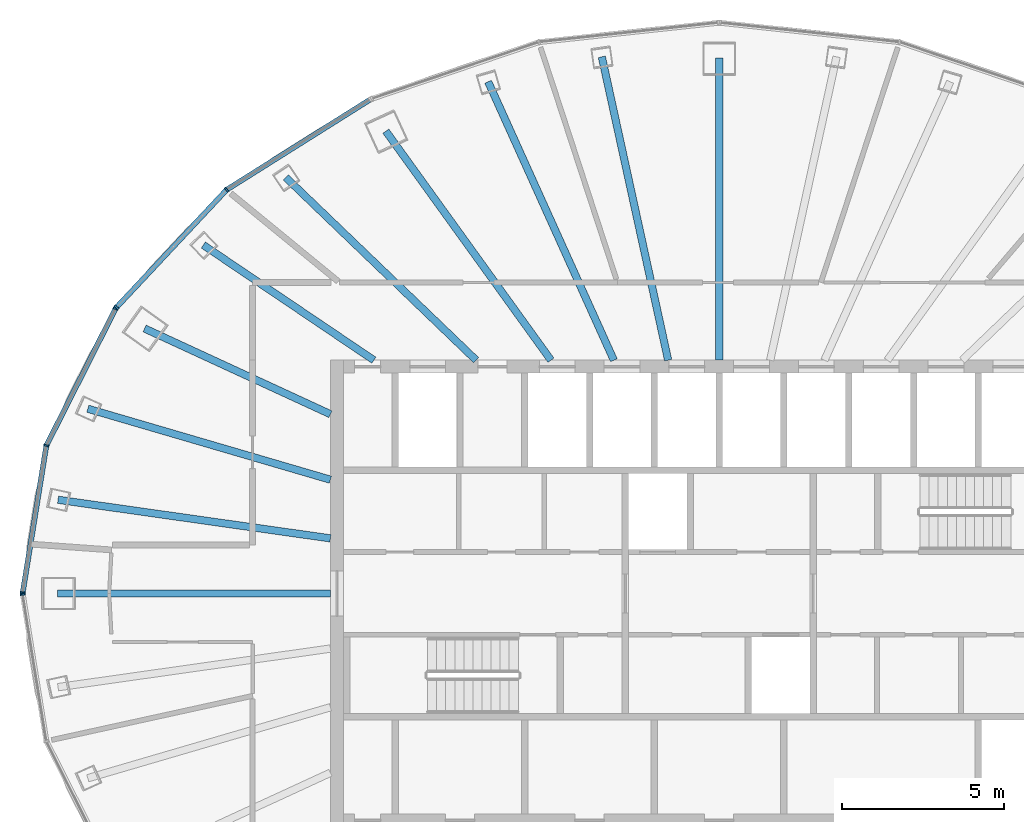
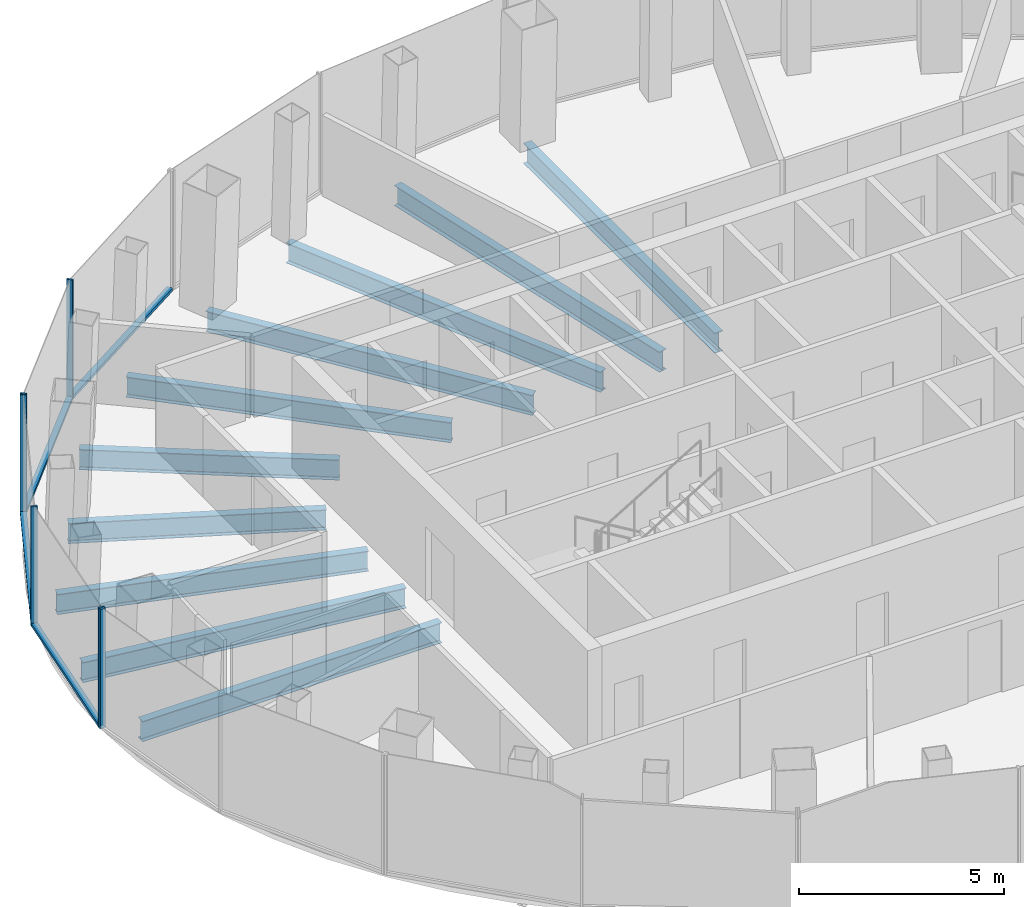
# One storey, part 4 of 12: 10 beams, 10 members, 3 elements without a shape of their own.
"""IFC4 building model written with IfcOpenShell, lengths in metres."""

from ifc_helpers import new_model, si_unit, direction, frame, origin, origin_2d, place, context, subcontext, project, spatial, rectangle, i_section, extrude, material, layer, layer_set, material_profile, profile_set, type_object, element, aggregate, save


model = new_model("IFC4")

# Units and contexts
model_context = context("Model", 3, precision=1e-05, world=origin(), true_north=direction((0.0, 1.0)))
body_context = subcontext(model_context, "Body", "Model", "MODEL_VIEW")
ifc_project = project(units=[si_unit("LENGTHUNIT", "METRE"), si_unit("AREAUNIT", "SQUARE_METRE"), si_unit("VOLUMEUNIT", "CUBIC_METRE"), si_unit("PLANEANGLEUNIT", "RADIAN"), si_unit("MASSUNIT", "GRAM", prefix="KILO")], contexts=[model_context])

# Site, building, storey
site_placement = place(None, origin())
site = spatial("IfcSite", under=ifc_project, at=site_placement, CompositionType="ELEMENT")
building_placement = place(site_placement, origin())
building = spatial("IfcBuilding", under=site, at=building_placement, Name="Siaravel Broadcast Tower", CompositionType="ELEMENT")
storey_placement = place(building_placement, frame((0.0, 0.0, 231.89990234375)))
storey = spatial("IfcBuildingStorey", under=building, at=storey_placement, Name="L56", CompositionType="ELEMENT", Elevation=231.89990234375)

# Beams
ifc_material_1 = material(Name="Steel S355", Category="steel")
ifc_material_profile_1 = material_profile(ifc_material_1, i_section(OverallWidth=0.2275390625, OverallDepth=0.6025390625, WebThickness=0.010498046875, FlangeThickness=0.014892578125, FilletRadius=0.0126953125, at=origin_2d()))
ifc_profile_set_1 = profile_set([ifc_material_profile_1], Name="Steel S355")
beam_type = type_object("IfcBeamType", Name="BM-UB 610x229x101", PredefinedType="BEAM", material=ifc_profile_set_1)
beam_1_placement = place(storey_placement, frame((0.0, 16.524169921875, -0.451171875), z_axis=(0.0, -1.0, 0.0), x_axis=(1.0, 0.0, 0.0)))
element("IfcBeam", 1, at=beam_1_placement, inside=storey, type_object=beam_type, Name="Radial beam RB10", PredefinedType="BEAM", context=body_context, shape_type="SweptSolid", body=[
    extrude(i_section(OverallWidth=0.2275390625, OverallDepth=0.6025390625, WebThickness=0.010498046875, FlangeThickness=0.014892578125, FilletRadius=0.0126953125, at=origin_2d()), origin(), (0.0, 0.0, 1.0), 9.32421875),
])
beam_2_placement = place(storey_placement, frame((-3.621826171875, 16.564453125, -0.451171875), z_axis=(0.213609528, -0.976919121, 0.0), x_axis=(0.976919121, 0.213609528, 0.0)))
element("IfcBeam", 2, at=beam_2_placement, inside=storey, type_object=beam_type, Name="Radial beam RB11", PredefinedType="BEAM", context=body_context, shape_type="SweptSolid", body=[
    extrude(i_section(OverallWidth=0.2275390625, OverallDepth=0.6025390625, WebThickness=0.010498046875, FlangeThickness=0.014892578125, FilletRadius=0.0126953125, at=origin_2d()), origin(), (0.0, 0.0, 1.0), 9.585693359375),
])
beam_3_placement = place(storey_placement, frame((-7.13037109375, 15.79443359375, -0.451171875), z_axis=(0.411454915, -0.911430114, 0.0), x_axis=(0.911430114, 0.411454915, 0.0)))
element("IfcBeam", 3, at=beam_3_placement, inside=storey, type_object=beam_type, Name="Radial beam RB12", PredefinedType="BEAM", context=body_context, shape_type="SweptSolid", body=[
    extrude(i_section(OverallWidth=0.2275390625, OverallDepth=0.6025390625, WebThickness=0.010498046875, FlangeThickness=0.014892578125, FilletRadius=0.0126953125, at=origin_2d()), origin(), (0.0, 0.0, 1.0), 9.4296875),
])
beam_4_placement = place(storey_placement, frame((-10.28759765625, 14.2685546875, -0.451171875), z_axis=(0.584818295, -0.811164324, 0.0), x_axis=(0.811164324, 0.584818295, 0.0)))
element("IfcBeam", 4, at=beam_4_placement, inside=storey, type_object=beam_type, Name="Radial beam RB13", PredefinedType="BEAM", context=body_context, shape_type="SweptSolid", body=[
    extrude(i_section(OverallWidth=0.2275390625, OverallDepth=0.6025390625, WebThickness=0.010498046875, FlangeThickness=0.014892578125, FilletRadius=0.0126953125, at=origin_2d()), origin(), (0.0, 0.0, 1.0), 8.714111328125),
])
beam_5_placement = place(storey_placement, frame((-13.377197265625, 12.841552734375, -0.451171875), z_axis=(0.721404089, -0.692514361, 0.0), x_axis=(0.692514361, 0.721404089, 0.0)))
element("IfcBeam", 5, at=beam_5_placement, inside=storey, type_object=beam_type, Name="Radial beam RB14", PredefinedType="BEAM", context=body_context, shape_type="SweptSolid", body=[
    extrude(i_section(OverallWidth=0.2275390625, OverallDepth=0.6025390625, WebThickness=0.010498046875, FlangeThickness=0.014892578125, FilletRadius=0.0126953125, at=origin_2d()), origin(), (0.0, 0.0, 1.0), 8.146484375),
])
beam_6_placement = place(storey_placement, frame((-15.92333984375, 10.756103515625, -0.451171875), z_axis=(0.828653044, -0.559762568, 0.0), x_axis=(0.559762568, 0.828653044, 0.0)))
element("IfcBeam", 6, at=beam_6_placement, inside=storey, type_object=beam_type, Name="Radial beam RB15", PredefinedType="BEAM", context=body_context, shape_type="SweptSolid", body=[
    extrude(i_section(OverallWidth=0.2275390625, OverallDepth=0.6025390625, WebThickness=0.010498046875, FlangeThickness=0.014892578125, FilletRadius=0.0126953125, at=origin_2d()), origin(), (0.0, 0.0, 1.0), 6.35302734375),
])
beam_7_placement = place(storey_placement, frame((-17.734375, 8.17822265625, -0.451171875), z_axis=(0.90810078, -0.418751684, 0.0), x_axis=(0.418751684, 0.90810078, 0.0)))
element("IfcBeam", 7, at=beam_7_placement, inside=storey, type_object=beam_type, Name="Radial beam RB16", PredefinedType="BEAM", context=body_context, shape_type="SweptSolid", body=[
    extrude(i_section(OverallWidth=0.2275390625, OverallDepth=0.6025390625, WebThickness=0.010498046875, FlangeThickness=0.014892578125, FilletRadius=0.0126953125, at=origin_2d()), origin(), (0.0, 0.0, 1.0), 6.314697265625),
])
beam_8_placement = place(storey_placement, frame((-19.4873046875, 5.702880859375, -0.451171875), z_axis=(0.959745843, -0.280869928, 0.0), x_axis=(0.280869928, 0.959745843, 0.0)))
element("IfcBeam", 8, at=beam_8_placement, inside=storey, type_object=beam_type, Name="Radial beam RB17", PredefinedType="BEAM", context=body_context, shape_type="SweptSolid", body=[
    extrude(i_section(OverallWidth=0.2275390625, OverallDepth=0.6025390625, WebThickness=0.010498046875, FlangeThickness=0.014892578125, FilletRadius=0.0126953125, at=origin_2d()), origin(), (0.0, 0.0, 1.0), 7.80126953125),
])
beam_9_placement = place(storey_placement, frame((-20.406982421875, 2.89208984375, -0.451171875), z_axis=(0.990107016, -0.14031428, 0.0), x_axis=(0.14031428, 0.990107016, 0.0)))
element("IfcBeam", 9, at=beam_9_placement, inside=storey, type_object=beam_type, Name="Radial beam RB18", PredefinedType="BEAM", context=body_context, shape_type="SweptSolid", body=[
    extrude(i_section(OverallWidth=0.2275390625, OverallDepth=0.6025390625, WebThickness=0.010498046875, FlangeThickness=0.014892578125, FilletRadius=0.0126953125, at=origin_2d()), origin(), (0.0, 0.0, 1.0), 8.490966796875),
])
beam_10_placement = place(storey_placement, frame((-20.416015625, 0.0, -0.451171875), z_axis=(1.0, 0.0, 0.0), x_axis=(0.0, 1.0, 0.0)))
element("IfcBeam", 10, at=beam_10_placement, inside=storey, type_object=beam_type, Name="Radial beam RB19", PredefinedType="BEAM", context=body_context, shape_type="SweptSolid", body=[
    extrude(i_section(OverallWidth=0.2275390625, OverallDepth=0.6025390625, WebThickness=0.010498046875, FlangeThickness=0.014892578125, FilletRadius=0.0126953125, at=origin_2d()), origin(), (0.0, 0.0, 1.0), 8.416015625),
])

# Curtain wall, members
ifc_material_2 = material(Name="Aluminium 6063-T6", Category="aluminium")
ifc_layer = layer(ifc_material_2, 0.159912109375)
ifc_layer_set = layer_set([ifc_layer], Name="Aluminium 6063-T6")
curtain_wall_type = type_object("IfcCurtainWallType", Name="Unitised curtain wall, zone 4", PredefinedType="NOTDEFINED", material=ifc_layer_set)
curtain_wall_1_placement = place(storey_placement, origin())
curtain_wall_1 = element("IfcCurtainWall", 11, at=curtain_wall_1_placement, inside=storey, type_object=curtain_wall_type, Name="L56 Unitised curtain wall, zone 4 05", PredefinedType="NOTDEFINED")
ifc_material_profile_2 = material_profile(ifc_material_2, rectangle(XDim=0.159912109375, YDim=0.054931640625, at=origin_2d()))
ifc_profile_set_2 = profile_set([ifc_material_profile_2], Name="Aluminium 6063-T6")
member_type_1 = type_object("IfcMemberType", Name="CW-Z4 mullion", PredefinedType="MULLION", material=ifc_profile_set_2)
member_1_placement = place(storey_placement, frame((-15.200439453125, 12.463623046875, 0.0), z_axis=(0.0, 0.0, 1.0), x_axis=(0.636219746, -0.771507897, 0.0)))
member_1 = element("IfcMember", 12, at=member_1_placement, type_object=member_type_1, Name="CW-Z4 mullion 2", PredefinedType="MULLION", context=body_context, shape_type="SweptSolid", body=[
    extrude(rectangle(XDim=0.159912109375, YDim=0.054931640625, at=origin_2d()), origin(), (0.0, 0.0, 1.0), 3.550048828125),
])
member_2_placement = place(storey_placement, frame((-18.60009765625, 8.834716796875, 0.0), z_axis=(0.0, 0.0, 1.0), x_axis=(0.72980635, -0.683653927, 0.0)))
member_2 = element("IfcMember", 13, at=member_2_placement, type_object=member_type_1, Name="CW-Z4 mullion 3", PredefinedType="MULLION", context=body_context, shape_type="SweptSolid", body=[
    extrude(rectangle(XDim=0.159912109375, YDim=0.054931640625, at=origin_2d()), origin(), (0.0, 0.0, 1.0), 3.550048828125),
])

curtain_wall_2_placement = place(storey_placement, origin())
curtain_wall_2 = element("IfcCurtainWall", 14, at=curtain_wall_2_placement, inside=storey, type_object=curtain_wall_type, Name="L56 Unitised curtain wall, zone 4 06", PredefinedType="NOTDEFINED")
member_3_placement = place(storey_placement, frame((-18.63134765625, 8.7900390625, 0.0), z_axis=(0.0, 0.0, 1.0), x_axis=(0.89239278, -0.451259489, 0.0)))
member_3 = element("IfcMember", 15, at=member_3_placement, type_object=member_type_1, Name="CW-Z4 mullion 1", PredefinedType="MULLION", context=body_context, shape_type="SweptSolid", body=[
    extrude(rectangle(XDim=0.159912109375, YDim=0.054931640625, at=origin_2d()), origin(), (0.0, 0.0, 1.0), 3.550048828125),
])
member_4_placement = place(storey_placement, frame((-20.7685546875, 4.5634765625, 0.0), z_axis=(0.0, 0.0, 1.0), x_axis=(0.951177556, -0.308644223, 0.0)))
member_4 = element("IfcMember", 16, at=member_4_placement, type_object=member_type_1, Name="CW-Z4 mullion 2", PredefinedType="MULLION", context=body_context, shape_type="SweptSolid", body=[
    extrude(rectangle(XDim=0.159912109375, YDim=0.054931640625, at=origin_2d()), origin(), (0.0, 0.0, 1.0), 3.550048828125),
])
member_5_placement = place(storey_placement, frame((-21.49755859375, 0.027099609375, 0.0), z_axis=(0.0, 0.0, 1.0), x_axis=(0.987329287, -0.158684841, 0.0)))
member_5 = element("IfcMember", 17, at=member_5_placement, type_object=member_type_1, Name="CW-Z4 mullion 3", PredefinedType="MULLION", context=body_context, shape_type="SweptSolid", body=[
    extrude(rectangle(XDim=0.159912109375, YDim=0.054931640625, at=origin_2d()), origin(), (0.0, 0.0, 1.0), 3.550048828125),
])

# Curtain wall, member
curtain_wall_3_placement = place(storey_placement, origin())
curtain_wall_3 = element("IfcCurtainWall", 18, at=curtain_wall_3_placement, inside=storey, type_object=curtain_wall_type, Name="L56 Unitised curtain wall, zone 4 07", PredefinedType="NOTDEFINED")
member_6_placement = place(storey_placement, frame((-21.49755859375, -0.027099609375, 0.0), z_axis=(0.0, 0.0, 1.0), x_axis=(0.987329287, 0.158684841, 0.0)))
member_6 = element("IfcMember", 19, at=member_6_placement, type_object=member_type_1, Name="CW-Z4 mullion 1", PredefinedType="MULLION", context=body_context, shape_type="SweptSolid", body=[
    extrude(rectangle(XDim=0.159912109375, YDim=0.054931640625, at=origin_2d()), origin(), (0.0, 0.0, 1.0), 3.550048828125),
])
aggregate(curtain_wall_3, [member_6])

# Member
ifc_material_profile_3 = material_profile(ifc_material_2, rectangle(XDim=0.159912109375, YDim=0.090087890625, at=origin_2d()))
ifc_profile_set_3 = profile_set([ifc_material_profile_3], Name="Aluminium 6063-T6")
member_type_2 = type_object("IfcMemberType", Name="CW-Z4 transom", PredefinedType="USERDEFINED", material=ifc_profile_set_3)
member_7_placement = place(storey_placement, frame((-10.7939453125, 15.2333984375, 0.045166015625), z_axis=(-0.846644441, -0.53215899, 0.0), x_axis=(0.53215899, -0.846644441, 0.0)))
member_7 = element("IfcMember", 20, at=member_7_placement, type_object=member_type_2, Name="CW-Z4 transom 1", ObjectType="TRANSOM", PredefinedType="USERDEFINED", context=body_context, shape_type="SweptSolid", body=[
    extrude(rectangle(XDim=0.159912109375, YDim=0.090087890625, at=origin_2d()), origin(), (0.0, 0.0, 1.0), 5.17724609375),
])

member_8_placement = place(storey_placement, frame((-15.21923828125, 12.443603515625, 0.045166015625), z_axis=(-0.68367025, -0.729791059, 0.0), x_axis=(0.729791059, -0.68367025, 0.0)))
member_8 = element("IfcMember", 21, at=member_8_placement, type_object=member_type_2, Name="CW-Z4 transom 2", ObjectType="TRANSOM", PredefinedType="USERDEFINED", context=body_context, shape_type="SweptSolid", body=[
    extrude(rectangle(XDim=0.159912109375, YDim=0.090087890625, at=origin_2d()), origin(), (0.0, 0.0, 1.0), 4.917724609375),
])

aggregate(curtain_wall_1, [member_1, member_2, member_7, member_8])

member_9_placement = place(storey_placement, frame((-18.643798828125, 8.765380859375, 0.045166015625), z_axis=(-0.451235344, -0.892404989, 0.0), x_axis=(0.892404989, -0.451235344, 0.0)))
member_9 = element("IfcMember", 22, at=member_9_placement, type_object=member_type_2, Name="CW-Z4 transom 1", ObjectType="TRANSOM", PredefinedType="USERDEFINED", context=body_context, shape_type="SweptSolid", body=[
    extrude(rectangle(XDim=0.159912109375, YDim=0.090087890625, at=origin_2d()), origin(), (0.0, 0.0, 1.0), 4.68115234375),
])

member_10_placement = place(storey_placement, frame((-20.77294921875, 4.536376953125, 0.045166015625), z_axis=(-0.158701499, -0.98732661, 0.0), x_axis=(0.98732661, -0.158701499, 0.0)))
member_10 = element("IfcMember", 23, at=member_10_placement, type_object=member_type_2, Name="CW-Z4 transom 2", ObjectType="TRANSOM", PredefinedType="USERDEFINED", context=body_context, shape_type="SweptSolid", body=[
    extrude(rectangle(XDim=0.159912109375, YDim=0.090087890625, at=origin_2d()), origin(), (0.0, 0.0, 1.0), 4.539794921875),
])

aggregate(curtain_wall_2, [member_3, member_4, member_5, member_9, member_10])

save(model, "model.ifc")
